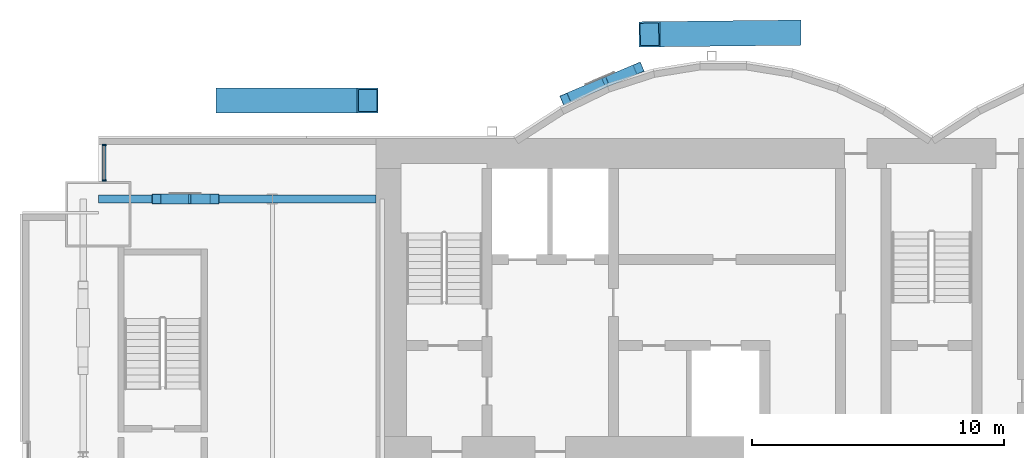
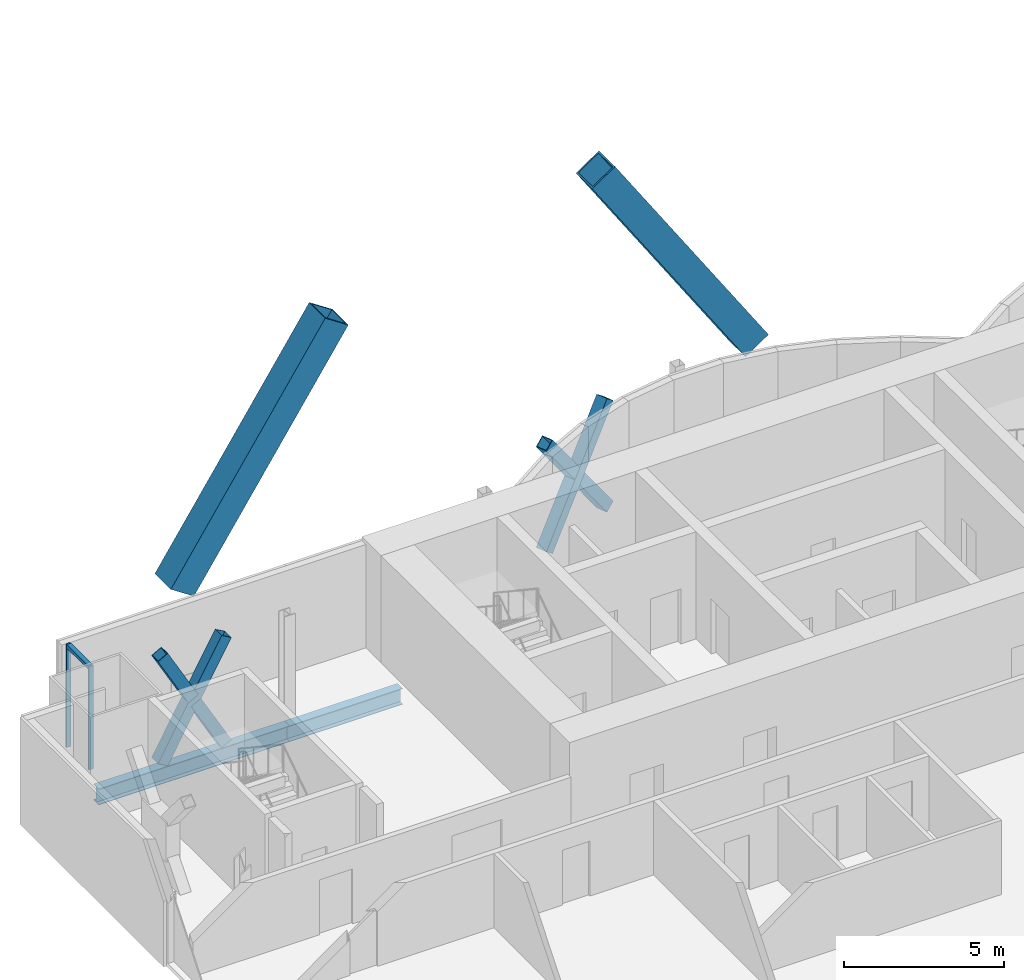
# One storey, part 11 of 22: 11 members, 2 beams, 1 element without a shape of its own.
"""IFC4 building model written with IfcOpenShell, lengths in metres."""

from ifc_helpers import new_model, si_unit, direction, frame, origin, origin_2d, place, context, subcontext, project, spatial, rectangle, hollow_rectangle, i_section, extrude, material, material_profile, profile_set, type_object, element, aggregate, save


model = new_model("IFC4")

# Units and contexts
model_context = context("Model", 3, precision=1e-05, world=origin(), true_north=direction((0.0, 1.0)))
body_context = subcontext(model_context, "Body", "Model", "MODEL_VIEW")
ifc_project = project(units=[si_unit("LENGTHUNIT", "METRE"), si_unit("AREAUNIT", "SQUARE_METRE"), si_unit("VOLUMEUNIT", "CUBIC_METRE"), si_unit("PLANEANGLEUNIT", "RADIAN"), si_unit("MASSUNIT", "GRAM", prefix="KILO")], contexts=[model_context])

# Site, building, storey
site_placement = place(None, origin())
site = spatial("IfcSite", under=ifc_project, at=site_placement, CompositionType="ELEMENT")
building_placement = place(site_placement, origin())
building = spatial("IfcBuilding", under=site, at=building_placement, Name="Bicima Exchange Tower", CompositionType="ELEMENT")
storey_placement = place(building_placement, frame((0.0, 0.0, 144.5)))
storey = spatial("IfcBuildingStorey", under=building, at=storey_placement, Name="L31", CompositionType="ELEMENT", Elevation=144.5)

# Members
ifc_material_1 = material(Name="Steel ASTM A572 Gr 50", Category="steel")
ifc_material_profile_1 = material_profile(ifc_material_1, hollow_rectangle(XDim=1.0, YDim=1.0, WallThickness=0.06005859375, at=origin_2d()))
ifc_profile_set_1 = profile_set([ifc_material_profile_1], Name="Steel ASTM A572 Gr 50")
member_type_1 = type_object("IfcMemberType", Name="Exo mega brace BOX 1000x1000x60", PredefinedType="BRACE", material=ifc_profile_set_1)
member_1_placement = place(storey_placement, frame((-27.916748046875, 1.5, 3.416748046875), z_axis=(0.55281335708, 0.0, 0.833305101529), x_axis=(0.0, 1.0, 0.0)))
element("IfcMember", 1, at=member_1_placement, inside=storey, type_object=member_type_1, Name="Exo mega brace rear", PredefinedType="BRACE", context=body_context, shape_type="SweptSolid", body=[
    extrude(hollow_rectangle(XDim=1.0, YDim=1.0, WallThickness=0.06005859375, at=origin_2d()), origin(), (0.0, 0.0, 1.0), 10.10009765625),
])
member_2_placement = place(storey_placement, frame((-5.583251953125, 4.1865234375, 3.416748046875), z_axis=(-0.552803101452, -0.006091227878, 0.833289642302), x_axis=(0.011018133066, -0.99993929853, 0.0)))
element("IfcMember", 2, at=member_2_placement, inside=storey, type_object=member_type_1, Name="Exo mega brace rear", PredefinedType="BRACE", context=body_context, shape_type="SweptSolid", body=[
    extrude(hollow_rectangle(XDim=1.0, YDim=1.0, WallThickness=0.06005859375, at=origin_2d()), origin(), (0.0, 0.0, 1.0), 10.100341796875),
])

# Curtain wall, members
ifc_material_2 = material(Name="Anodised bronze aluminium", Category="aluminium")
curtain_wall_type = type_object("IfcCurtainWallType", Name="Front glass wall", PredefinedType="NOTDEFINED", material=ifc_material_2)
curtain_wall_placement = place(storey_placement, origin())
curtain_wall = element("IfcCurtainWall", 3, at=curtain_wall_placement, inside=storey, type_object=curtain_wall_type, Name="Front glass wall L31 run 1", PredefinedType="NOTDEFINED")
ifc_material_profile_2 = material_profile(ifc_material_2, rectangle(XDim=0.159912109375, YDim=0.06005859375, at=origin_2d()))
ifc_profile_set_2 = profile_set([ifc_material_profile_2], Name="Anodised bronze aluminium")
member_type_2 = type_object("IfcMemberType", Name="Front glass wall mullion 60 x 160", PredefinedType="MULLION", material=ifc_profile_set_2)
member_3_placement = place(storey_placement, frame((-32.77001953125, -0.260009765625, 0.0), z_axis=(0.0, 0.0, 1.0), x_axis=(1.0, 0.0, 0.0)))
member_3 = element("IfcMember", 4, at=member_3_placement, type_object=member_type_2, Name="Front glass wall mullion 1", PredefinedType="MULLION", context=body_context, shape_type="SweptSolid", body=[
    extrude(rectangle(XDim=0.159912109375, YDim=0.06005859375, at=origin_2d()), origin(), (0.0, 0.0, 1.0), 3.949951171875),
])
member_4_placement = place(storey_placement, frame((-32.77001953125, -1.669921875, 0.0), z_axis=(0.0, 0.0, 1.0), x_axis=(1.0, 0.0, 0.0)))
member_4 = element("IfcMember", 5, at=member_4_placement, type_object=member_type_2, Name="Front glass wall mullion 2", PredefinedType="MULLION", context=body_context, shape_type="SweptSolid", body=[
    extrude(rectangle(XDim=0.159912109375, YDim=0.06005859375, at=origin_2d()), origin(), (0.0, 0.0, 1.0), 3.949951171875),
])
ifc_material_profile_3 = material_profile(ifc_material_2, rectangle(XDim=0.159912109375, YDim=0.139892578125, at=origin_2d()))
ifc_profile_set_3 = profile_set([ifc_material_profile_3], Name="Anodised bronze aluminium")
member_type_3 = type_object("IfcMemberType", Name="Front glass wall transom 140 x 160", PredefinedType="USERDEFINED", material=ifc_profile_set_3)
member_5_placement = place(storey_placement, frame((-32.77001953125, -0.2900390625, 3.8798828125), z_axis=(0.0, -1.0, 0.0), x_axis=(1.0, 0.0, 0.0)))
member_5 = element("IfcMember", 6, at=member_5_placement, type_object=member_type_3, Name="Front glass wall transom 1.1", ObjectType="TRANSOM", PredefinedType="USERDEFINED", context=body_context, shape_type="SweptSolid", body=[
    extrude(rectangle(XDim=0.159912109375, YDim=0.139892578125, at=origin_2d()), origin(), (0.0, 0.0, 1.0), 1.349853515625),
])
aggregate(curtain_wall, [member_3, member_4, member_5])

# Members
ifc_material_profile_4 = material_profile(ifc_material_1, hollow_rectangle(XDim=0.406494140625, YDim=0.406494140625, WallThickness=0.017822265625, at=origin_2d()))
ifc_profile_set_4 = profile_set([ifc_material_profile_4], Name="Steel ASTM A572 Gr 50")
member_type_4 = type_object("IfcMemberType", Name="Mega brace HSS16x16x3/4", PredefinedType="BRACE", material=ifc_profile_set_4)
member_6_placement = place(storey_placement, frame((-14.5, 1.55615234375, 0.0), z_axis=(0.560941150383, 0.237353950314, 0.793100326615), x_axis=(-0.389685518438, 0.920947988064, 0.0)))
element("IfcMember", 7, at=member_6_placement, inside=storey, type_object=member_type_4, Name="Mega brace rexo", PredefinedType="BRACE", context=body_context, shape_type="SweptSolid", body=[
    extrude(hollow_rectangle(XDim=0.406494140625, YDim=0.406494140625, WallThickness=0.017822265625, at=origin_2d()), origin(), (0.0, 0.0, 1.0), 5.169677734375),
])
for number, where, z_axis, x_axis, name in (
    (8, (-11.60009765625, 2.783203125, 0.0), (-0.560915223589, -0.237310286903, 0.793131729082), (0.389639990837, -0.920967251069, 0.0), "Mega brace rexo"),
    (9, (-13.12890625, 2.136474609375, 2.161376953125), (-0.5609019264, -0.237404536868, 0.793112926912), (0.389779070565, -0.920908397263, 0.0), "Mega brace rexo"),
):
    element("IfcMember", number, at=place(storey_placement, frame(where, z_axis=z_axis, x_axis=x_axis)), inside=storey, type_object=member_type_4, Name=name, PredefinedType="BRACE", context=body_context, shape_type="SweptSolid", body=[
        extrude(hollow_rectangle(XDim=0.406494140625, YDim=0.406494140625, WallThickness=0.017822265625, at=origin_2d()), origin(), (0.0, 0.0, 1.0), 2.4443359375),
    ])
member_7_placement = place(storey_placement, frame((-30.699951171875, -2.39990234375, 0.0), z_axis=(0.489250010841, 0.0, 0.87214358158), x_axis=(0.0, 1.0, 0.0)))
element("IfcMember", 10, at=member_7_placement, inside=storey, type_object=member_type_4, Name="Mega brace rear", PredefinedType="BRACE", context=body_context, shape_type="SweptSolid", body=[
    extrude(hollow_rectangle(XDim=0.406494140625, YDim=0.406494140625, WallThickness=0.017822265625, at=origin_2d()), origin(), (0.0, 0.0, 1.0), 4.701171875),
])
member_8_placement = place(storey_placement, frame((-28.39990234375, -2.39990234375, 0.0), z_axis=(-0.489281197616, 0.0, 0.872126085873), x_axis=(0.0, -1.0, 0.0)))
element("IfcMember", 11, at=member_8_placement, inside=storey, type_object=member_type_4, Name="Mega brace rear", PredefinedType="BRACE", context=body_context, shape_type="SweptSolid", body=[
    extrude(hollow_rectangle(XDim=0.406494140625, YDim=0.406494140625, WallThickness=0.017822265625, at=origin_2d()), origin(), (0.0, 0.0, 1.0), 2.247802734375),
])
member_9_placement = place(storey_placement, frame((-29.60009765625, -2.39990234375, 2.139404296875), z_axis=(-0.489234856459, 0.0, 0.872152082624), x_axis=(0.0, -1.0, 0.0)))
element("IfcMember", 12, at=member_9_placement, inside=storey, type_object=member_type_4, Name="Mega brace rear", PredefinedType="BRACE", context=body_context, shape_type="SweptSolid", body=[
    extrude(hollow_rectangle(XDim=0.406494140625, YDim=0.406494140625, WallThickness=0.017822265625, at=origin_2d()), origin(), (0.0, 0.0, 1.0), 2.248046875),
])

# Beams
ifc_material_3 = material(Name="Steel ASTM A992 Gr 50", Category="steel")
ifc_material_profile_5 = material_profile(ifc_material_3, i_section(OverallWidth=0.3251953125, OverallDepth=0.612060546875, WebThickness=0.0126953125, FlangeThickness=0.01904296875, at=origin_2d()))
ifc_profile_set_5 = profile_set([ifc_material_profile_5], Name="Steel ASTM A992 Gr 50")
beam_type = type_object("IfcBeamType", Name="Rear girder W24x104", PredefinedType="BEAM", material=ifc_profile_set_5)
beam_1_placement = place(storey_placement, frame((-22.0, -2.39990234375, -0.4560546875), z_axis=(-1.0, 0.0, 0.0), x_axis=(0.0, -1.0, 0.0)))
element("IfcBeam", 13, at=beam_1_placement, inside=storey, type_object=beam_type, Name="Rear girder", PredefinedType="BEAM", context=body_context, shape_type="SweptSolid", body=[
    extrude(i_section(OverallWidth=0.3251953125, OverallDepth=0.612060546875, WebThickness=0.0126953125, FlangeThickness=0.01904296875, at=origin_2d()), origin(), (0.0, 0.0, 1.0), 4.10009765625),
])
beam_2_placement = place(storey_placement, frame((-26.10009765625, -2.39990234375, -0.4560546875), z_axis=(-1.0, 0.0, 0.0), x_axis=(0.0, -1.0, 0.0)))
element("IfcBeam", 14, at=beam_2_placement, inside=storey, type_object=beam_type, Name="Rear girder", PredefinedType="BEAM", context=body_context, shape_type="SweptSolid", body=[
    extrude(i_section(OverallWidth=0.3251953125, OverallDepth=0.612060546875, WebThickness=0.0126953125, FlangeThickness=0.01904296875, at=origin_2d()), origin(), (0.0, 0.0, 1.0), 6.89990234375),
])

save(model, "model.ifc")
